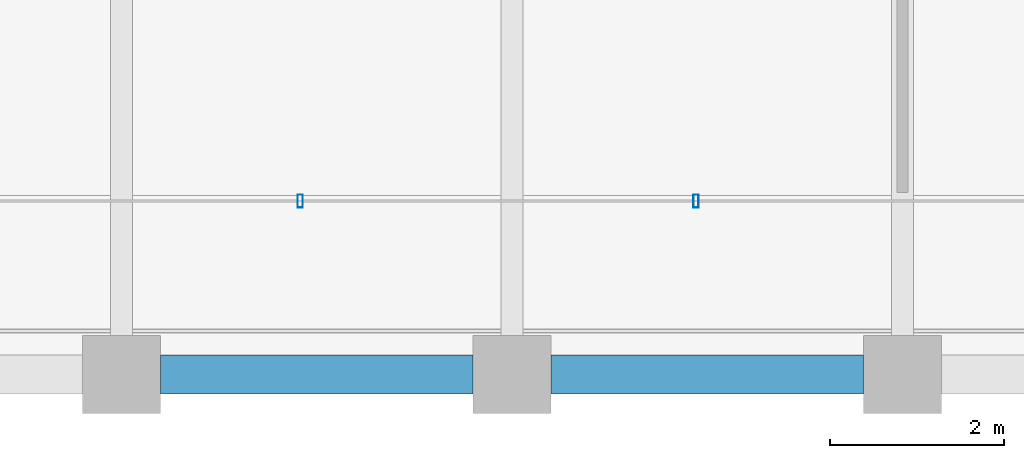
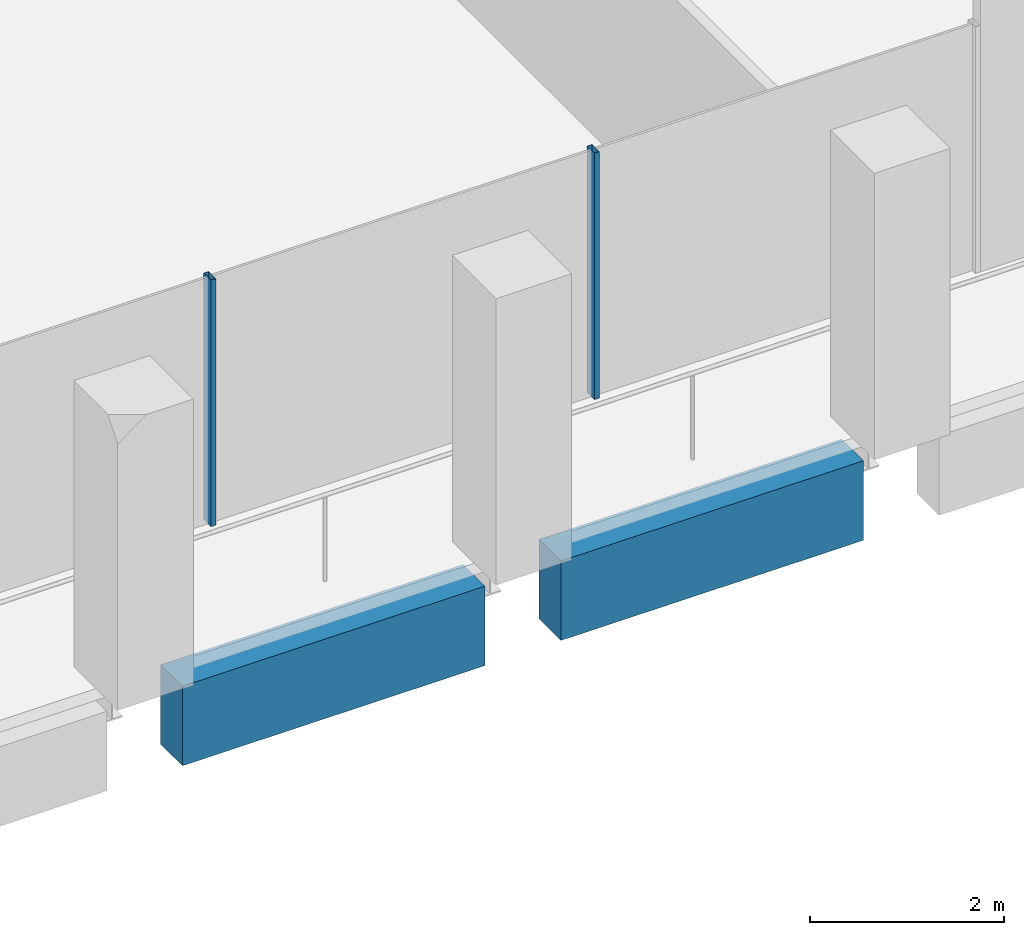
# One storey, part 3 of 40: 2 beams, 2 members, 1 element without a shape of its own.
"""IFC4 building model written with IfcOpenShell, lengths in metres."""

from ifc_helpers import new_model, si_unit, direction, frame, origin, origin_2d, place, context, subcontext, project, spatial, rectangle, hollow_rectangle, extrude, material, material_profile, profile_set, type_object, element, aggregate, save


model = new_model("IFC4")

# Units and contexts
model_context = context("Model", 3, precision=1e-05, world=origin(), true_north=direction((0.0, 1.0)))
body_context = subcontext(model_context, "Body", "Model", "MODEL_VIEW")
ifc_project = project(units=[si_unit("LENGTHUNIT", "METRE"), si_unit("AREAUNIT", "SQUARE_METRE"), si_unit("VOLUMEUNIT", "CUBIC_METRE"), si_unit("PLANEANGLEUNIT", "RADIAN"), si_unit("MASSUNIT", "GRAM", prefix="KILO")], contexts=[model_context])

# Site, building, storey
site_placement = place(None, origin())
site = spatial("IfcSite", under=ifc_project, at=site_placement, CompositionType="ELEMENT")
building_placement = place(site_placement, origin())
building = spatial("IfcBuilding", under=site, at=building_placement, Name="Altepetl Exchange Towers", CompositionType="ELEMENT")
storey_placement = place(building_placement, frame((0.0, 0.0, 161.800048828125)))
storey = spatial("IfcBuildingStorey", under=building, at=storey_placement, Name="L40", CompositionType="ELEMENT", Elevation=161.800048828125)

# Curtain wall, members
ifc_material_1 = material(Name="Aluminium 6063-T6 glazing", Category="aluminium")
curtain_wall_type = type_object("IfcCurtainWallType", Name="Loggia glazing system", PredefinedType="NOTDEFINED", material=ifc_material_1)
curtain_wall_placement = place(storey_placement, origin())
curtain_wall = element("IfcCurtainWall", 1, at=curtain_wall_placement, inside=storey, type_object=curtain_wall_type, Name="CW1 run", PredefinedType="NOTDEFINED")
ifc_material_2 = material(Name="Aluminium 6063-T6", Category="aluminium")
ifc_material_profile_1 = material_profile(ifc_material_2, hollow_rectangle(XDim=0.06005859375, YDim=0.14990234375, WallThickness=0.0029296875, at=origin_2d()), Name="Mullion 60x150 aluminium")
ifc_profile_set_1 = profile_set([ifc_material_profile_1], Name="Aluminium 6063-T6")
member_type = type_object("IfcMemberType", Name="Mullion 60x150 aluminium", PredefinedType="MULLION", material=ifc_profile_set_1)
member_1_placement = place(storey_placement, frame((38.060791015625, 29.0, 0.0)))
member_1 = element("IfcMember", 2, at=member_1_placement, type_object=member_type, Name="MU1 mullion", PredefinedType="MULLION", context=body_context, shape_type="SweptSolid", body=[
    extrude(hollow_rectangle(XDim=0.06005859375, YDim=0.14990234375, WallThickness=0.0029296875, at=origin_2d()), origin(), (0.0, 0.0, 1.0), 3.099853515625),
])
member_2_placement = place(storey_placement, frame((42.621337890625, 29.0, 0.0)))
member_2 = element("IfcMember", 3, at=member_2_placement, type_object=member_type, Name="MU1 mullion", PredefinedType="MULLION", context=body_context, shape_type="SweptSolid", body=[
    extrude(hollow_rectangle(XDim=0.06005859375, YDim=0.14990234375, WallThickness=0.0029296875, at=origin_2d()), origin(), (0.0, 0.0, 1.0), 3.099853515625),
])
aggregate(curtain_wall, [member_1, member_2])

# Beams
ifc_material_3 = material(Name="Concrete C50/60 precast with cantera blanca facing", Category="concrete")
ifc_material_profile_2 = material_profile(ifc_material_3, rectangle(XDim=0.449951171875, YDim=1.0, at=origin_2d()), Name="450 x 1000")
ifc_profile_set_2 = profile_set([ifc_material_profile_2], Name="Concrete C50/60 precast with cantera blanca facing")
beam_type = type_object("IfcBeamType", Name="Spandrel beam 450x1000 cantera blanca", PredefinedType="SPANDREL", material=ifc_profile_set_2)
for number, where, z_axis, x_axis, name in (
    (4, (36.449951171875, 27.0, -0.650146484375), (1.0, 0.0, 0.0), (0.0, 1.0, 0.0), "sp:A:L40:001"),
    (5, (40.949951171875, 27.0, -0.650146484375), (1.0, 0.0, 0.0), (0.0, 1.0, 0.0), "sp:A:L40:002"),
):
    element("IfcBeam", number, at=place(storey_placement, frame(where, z_axis=z_axis, x_axis=x_axis)), inside=storey, type_object=beam_type, Name=name, PredefinedType="SPANDREL", context=body_context, shape_type="SweptSolid", body=[
        extrude(rectangle(XDim=0.449951171875, YDim=1.0, at=origin_2d()), origin(), (0.0, 0.0, 1.0), 3.60009765625),
    ])

save(model, "model.ifc")
